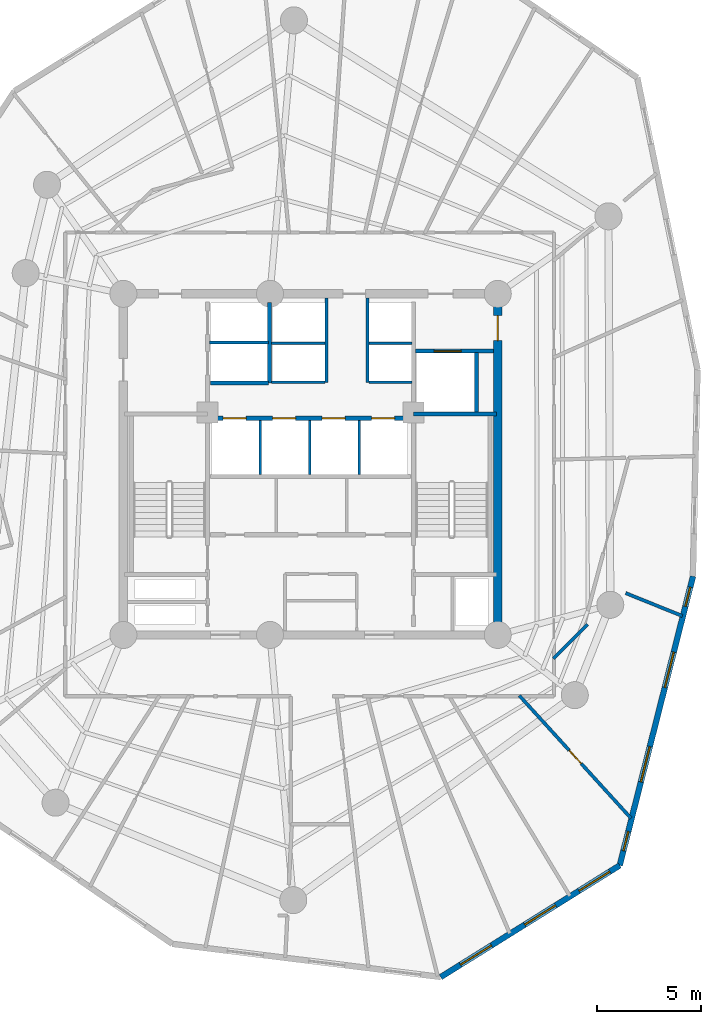
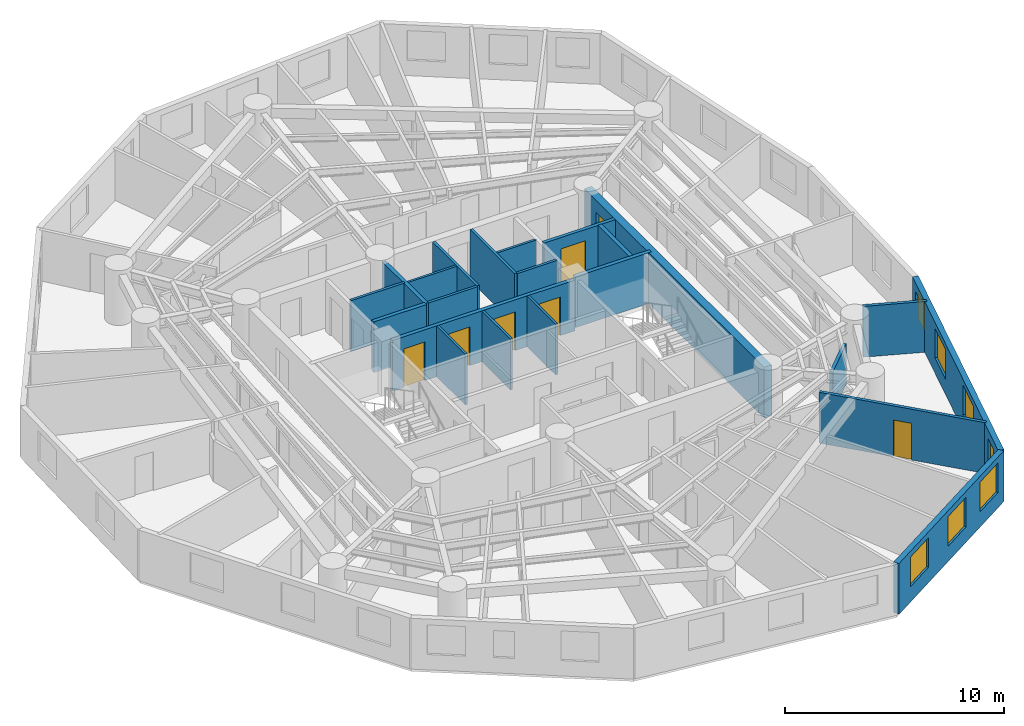
# One storey, part 5 of 8: 22 walls, 7 doors, 7 windows, 14 openings.
"""IFC4 building model written with IfcOpenShell, lengths in metres."""

from ifc_helpers import new_model, si_unit, direction, frame, frame_2d, origin, origin_with_axes, place, context, subcontext, project, spatial, rectangle, extrude, source, transform, mapped, material, layer, layer_set, type_object, element, fill, save


model = new_model("IFC4")

# Units and contexts
model_context = context("Model", 3, precision=1e-05, world=origin(), true_north=direction((0.0, 1.0)))
body_context = subcontext(model_context, "Body", "Model", "MODEL_VIEW")
ifc_project = project(units=[si_unit("LENGTHUNIT", "METRE"), si_unit("AREAUNIT", "SQUARE_METRE"), si_unit("VOLUMEUNIT", "CUBIC_METRE"), si_unit("PLANEANGLEUNIT", "RADIAN"), si_unit("MASSUNIT", "GRAM", prefix="KILO")], contexts=[model_context])

# Site, building, storey
site_placement = place(None, origin())
site = spatial("IfcSite", under=ifc_project, at=site_placement, CompositionType="ELEMENT")
building_placement = place(site_placement, origin())
building = spatial("IfcBuilding", under=site, at=building_placement, Name="Karkom Vertical University and Central Library", CompositionType="ELEMENT")
storey_placement = place(building_placement, frame((0.0, 0.0, 184.0)))
storey = spatial("IfcBuildingStorey", under=building, at=storey_placement, Name="L53", CompositionType="ELEMENT", Elevation=184.0)

# Wall, openings, windows
ifc_material_1 = material(Name="Brick-faced precast concrete C45/55", Category="masonry")
ifc_layer_1 = layer(ifc_material_1, 0.280029296875)
ifc_layer_set_1 = layer_set([ifc_layer_1], Name="Brick-faced precast concrete C45/55")
wall_type_1 = type_object("IfcWallType", Name="ENV-WL-BRK-280", PredefinedType="SOLIDWALL", material=ifc_layer_set_1)
wall_1_placement = place(storey_placement, frame((34.757568359375, 1.85009765625, 0.0), z_axis=(0.0, 0.0, 1.0), x_axis=(0.848433325242, 0.529302269614, 0.0)))
wall_1 = element("IfcWall", 1, at=wall_1_placement, inside=storey, type_object=wall_type_1, Name="Level 53 Brick-Faced Precast Facade Wall 05", PredefinedType="SOLIDWALL", context=body_context, shape_type="SweptSolid", body=[
    extrude(rectangle(XDim=10.145751953125, YDim=0.280029296875, at=frame_2d((5.07275390625, 0.0))), origin(), (0.0, 0.0, 1.0), 2.824951171875),
])
opening_1_placement = place(wall_1_placement, frame((1.12158203125, 0.0, 0.85009765625)))
opening_1 = element("IfcOpeningElement", 2, at=opening_1_placement, cuts=wall_1, Name="Opening WN-08", PredefinedType="OPENING", context=body_context, shape_type="SweptSolid", body=[
    extrude(rectangle(XDim=1.75, YDim=1.64990234375, at=frame_2d((0.875, 0.824951171875))), frame((0.0, 0.14990234375, 0.0), z_axis=(0.0, -1.0, 0.0), x_axis=(1.0, 0.0, 0.0)), (0.0, 0.0, 1.0), 0.300048828125),
])
opening_2_placement = place(wall_1_placement, frame((4.759521484375, 0.0, 0.85009765625)))
opening_2 = element("IfcOpeningElement", 3, at=opening_2_placement, cuts=wall_1, Name="Opening WN-08", PredefinedType="OPENING", context=body_context, shape_type="SweptSolid", body=[
    extrude(rectangle(XDim=1.75, YDim=1.64990234375, at=frame_2d((0.875, 0.824951171875))), frame((0.0, 0.14990234375, 0.0), z_axis=(0.0, -1.0, 0.0), x_axis=(1.0, 0.0, 0.0)), (0.0, 0.0, 1.0), 0.300048828125),
])
opening_3_placement = place(wall_1_placement, frame((7.835693359375, 0.0, 0.85009765625)))
opening_3 = element("IfcOpeningElement", 4, at=opening_3_placement, cuts=wall_1, Name="Opening WN-08", PredefinedType="OPENING", context=body_context, shape_type="SweptSolid", body=[
    extrude(rectangle(XDim=1.75, YDim=1.64990234375, at=frame_2d((0.875, 0.824951171875))), frame((0.0, 0.14990234375, 0.0), z_axis=(0.0, -1.0, 0.0), x_axis=(1.0, 0.0, 0.0)), (0.0, 0.0, 1.0), 0.300048828125),
])
ifc_material_2 = material(Name="Aluminium thermal-break frame with solar-control IGU", Category="aluminium")
window_type_1 = type_object("IfcWindowType", Name="ENV-WIN-WN-08", PartitioningType="SINGLE_PANEL", PredefinedType="WINDOW", material=ifc_material_2)
shared_shape_1 = source(origin_with_axes(), body_context, "Body", "SweptSolid", [
    extrude(rectangle(XDim=1.75, YDim=1.64990234375, at=frame_2d((0.875, 0.824951171875))), frame((0.0, 0.030029296875, 0.0), z_axis=(0.0, -1.0, 0.0), x_axis=(1.0, 0.0, 0.0)), (0.0, 0.0, 1.0), 0.06005859375),
])
window_1_placement = place(opening_1_placement, origin())
window_1 = element("IfcWindow", 5, at=window_1_placement, inside=storey, type_object=window_type_1, Name="Level 53 Punched Window 5.1", OverallHeight=1.64990234375, OverallWidth=1.75, PartitioningType="SINGLE_PANEL", PredefinedType="WINDOW", context=body_context, shape_type="MappedRepresentation", body=[
    mapped(shared_shape_1, transform((0.0, 0.0, 0.0), scale=1.0)),
])
fill(opening_1, window_1)
window_2_placement = place(opening_2_placement, origin())
window_2 = element("IfcWindow", 6, at=window_2_placement, inside=storey, type_object=window_type_1, Name="Level 53 Punched Window 5.2", OverallHeight=1.64990234375, OverallWidth=1.75, PartitioningType="SINGLE_PANEL", PredefinedType="WINDOW", context=body_context, shape_type="MappedRepresentation", body=[
    mapped(shared_shape_1, transform((0.0, 0.0, 0.0), scale=1.0)),
])
fill(opening_2, window_2)
window_3_placement = place(opening_3_placement, origin())
window_3 = element("IfcWindow", 7, at=window_3_placement, inside=storey, type_object=window_type_1, Name="Level 53 Punched Window 5.3", OverallHeight=1.64990234375, OverallWidth=1.75, PartitioningType="SINGLE_PANEL", PredefinedType="WINDOW", context=body_context, shape_type="MappedRepresentation", body=[
    mapped(shared_shape_1, transform((0.0, 0.0, 0.0), scale=1.0)),
])
fill(opening_3, window_3)

wall_2_placement = place(storey_placement, frame((43.365478515625, 7.22021484375, 0.0), z_axis=(0.0, 0.0, 1.0), x_axis=(0.245638535217, 0.969361496046, 0.0)))
wall_2 = element("IfcWall", 8, at=wall_2_placement, inside=storey, type_object=wall_type_1, Name="Level 53 Brick-Faced Precast Facade Wall 06", PredefinedType="SOLIDWALL", context=body_context, shape_type="SweptSolid", body=[
    extrude(rectangle(XDim=14.342041015625, YDim=0.280029296875, at=frame_2d((7.1708984375, 0.0))), origin(), (0.0, 0.0, 1.0), 2.824951171875),
])
opening_4_placement = place(wall_2_placement, frame((0.730712890625, 0.0, 0.85009765625)))
opening_4 = element("IfcOpeningElement", 9, at=opening_4_placement, cuts=wall_2, Name="Opening WN-12", PredefinedType="OPENING", context=body_context, shape_type="SweptSolid", body=[
    extrude(rectangle(XDim=0.949951171875, YDim=1.5, at=frame_2d((0.47509765625, 0.75))), frame((0.0, 0.14990234375, 0.0), z_axis=(0.0, -1.0, 0.0), x_axis=(1.0, 0.0, 0.0)), (0.0, 0.0, 1.0), 0.300048828125),
])
opening_5_placement = place(wall_2_placement, frame((4.140625, 0.0, 0.85009765625)))
opening_5 = element("IfcOpeningElement", 10, at=opening_5_placement, cuts=wall_2, Name="Opening WN-08", PredefinedType="OPENING", context=body_context, shape_type="SweptSolid", body=[
    extrude(rectangle(XDim=1.75, YDim=1.64990234375, at=frame_2d((0.875, 0.824951171875))), frame((0.0, 0.14990234375, 0.0), z_axis=(0.0, -1.0, 0.0), x_axis=(1.0, 0.0, 0.0)), (0.0, 0.0, 1.0), 0.300048828125),
])
opening_6_placement = place(wall_2_placement, frame((8.8291015625, 0.0, 0.85009765625)))
opening_6 = element("IfcOpeningElement", 11, at=opening_6_placement, cuts=wall_2, Name="Opening WN-08", PredefinedType="OPENING", context=body_context, shape_type="SweptSolid", body=[
    extrude(rectangle(XDim=1.75, YDim=1.64990234375, at=frame_2d((0.875, 0.824951171875))), frame((0.0, 0.14990234375, 0.0), z_axis=(0.0, -1.0, 0.0), x_axis=(1.0, 0.0, 0.0)), (0.0, 0.0, 1.0), 0.300048828125),
])
opening_7_placement = place(wall_2_placement, frame((12.85009765625, 0.0, 0.85009765625)))
opening_7 = element("IfcOpeningElement", 12, at=opening_7_placement, cuts=wall_2, Name="Opening WN-12", PredefinedType="OPENING", context=body_context, shape_type="SweptSolid", body=[
    extrude(rectangle(XDim=0.949951171875, YDim=1.5, at=frame_2d((0.47509765625, 0.75))), frame((0.0, 0.14990234375, 0.0), z_axis=(0.0, -1.0, 0.0), x_axis=(1.0, 0.0, 0.0)), (0.0, 0.0, 1.0), 0.300048828125),
])
window_type_2 = type_object("IfcWindowType", Name="ENV-WIN-WN-12", PartitioningType="SINGLE_PANEL", PredefinedType="WINDOW", material=ifc_material_2)
shared_shape_2 = source(origin_with_axes(), body_context, "Body", "SweptSolid", [
    extrude(rectangle(XDim=0.949951171875, YDim=1.5, at=frame_2d((0.47509765625, 0.75))), frame((0.0, 0.030029296875, 0.0), z_axis=(0.0, -1.0, 0.0), x_axis=(1.0, 0.0, 0.0)), (0.0, 0.0, 1.0), 0.06005859375),
])
window_4_placement = place(opening_4_placement, origin())
window_4 = element("IfcWindow", 13, at=window_4_placement, inside=storey, type_object=window_type_2, Name="Level 53 Punched Window 6.1", OverallHeight=1.5, OverallWidth=0.949951171875, PartitioningType="SINGLE_PANEL", PredefinedType="WINDOW", context=body_context, shape_type="MappedRepresentation", body=[
    mapped(shared_shape_2, transform((0.0, 0.0, 0.0), scale=1.0)),
])
fill(opening_4, window_4)
window_5_placement = place(opening_7_placement, origin())
window_5 = element("IfcWindow", 14, at=window_5_placement, inside=storey, type_object=window_type_2, Name="Level 53 Punched Window 6.4", OverallHeight=1.5, OverallWidth=0.949951171875, PartitioningType="SINGLE_PANEL", PredefinedType="WINDOW", context=body_context, shape_type="MappedRepresentation", body=[
    mapped(shared_shape_2, transform((0.0, 0.0, 0.0), scale=1.0)),
])
fill(opening_7, window_5)
window_6_placement = place(opening_5_placement, origin())
window_6 = element("IfcWindow", 15, at=window_6_placement, inside=storey, type_object=window_type_1, Name="Level 53 Punched Window 6.2", OverallHeight=1.64990234375, OverallWidth=1.75, PartitioningType="SINGLE_PANEL", PredefinedType="WINDOW", context=body_context, shape_type="MappedRepresentation", body=[
    mapped(shared_shape_1, transform((0.0, 0.0, 0.0), scale=1.0)),
])
fill(opening_5, window_6)
window_7_placement = place(opening_6_placement, origin())
window_7 = element("IfcWindow", 16, at=window_7_placement, inside=storey, type_object=window_type_1, Name="Level 53 Punched Window 6.3", OverallHeight=1.64990234375, OverallWidth=1.75, PartitioningType="SINGLE_PANEL", PredefinedType="WINDOW", context=body_context, shape_type="MappedRepresentation", body=[
    mapped(shared_shape_1, transform((0.0, 0.0, 0.0), scale=1.0)),
])
fill(opening_6, window_7)

# Wall, opening, door
ifc_material_3 = material(Name="Insulated metal-stud drywall 160mm", Category="gypsum")
ifc_layer_2 = layer(ifc_material_3, 0.159912109375)
ifc_layer_set_2 = layer_set([ifc_layer_2], Name="Insulated metal-stud drywall 160mm")
wall_type_2 = type_object("IfcWallType", Name="INT-WL-COR-160", PredefinedType="PARTITIONING", material=ifc_layer_set_2)
wall_3_placement = place(storey_placement, frame((38.53857421875, 15.38330078125, 0.0), z_axis=(0.0, 0.0, 1.0), x_axis=(0.673152933758, -0.739503298014, 0.0)))
wall_3 = element("IfcWall", 17, at=wall_3_placement, inside=storey, type_object=wall_type_2, Name="Level 53 Interior Partition Wall L53-PW-019", PredefinedType="PARTITIONING", context=body_context, shape_type="SweptSolid", body=[
    extrude(rectangle(XDim=7.969970703125, YDim=0.159912109375, at=frame_2d((3.98486328125, 0.0))), origin(), (0.0, 0.0, 1.0), 2.824951171875),
])
opening_8_placement = place(wall_3_placement, frame((3.554931640625, 0.0, 0.0)))
opening_8 = element("IfcOpeningElement", 18, at=opening_8_placement, cuts=wall_3, Name="Opening FD-BTH2", PredefinedType="OPENING", context=body_context, shape_type="SweptSolid", body=[
    extrude(rectangle(XDim=0.860107421875, YDim=2.0400390625, at=frame_2d((0.43017578125, 1.02001953125))), frame((0.0, 0.08984375, 0.0), z_axis=(0.0, -1.0, 0.0), x_axis=(1.0, 0.0, 0.0)), (0.0, 0.0, 1.0), 0.179931640625),
])
ifc_material_4 = material(Name="Fire-rated moisture-resistant oak door", Category="wood")
door_type_1 = type_object("IfcDoorType", Name="INT-DR-FBTH2", OperationType="NOTDEFINED", PredefinedType="DOOR", material=ifc_material_4)
shared_shape_3 = source(origin_with_axes(), body_context, "Body", "SweptSolid", [
    extrude(rectangle(XDim=0.860107421875, YDim=2.0400390625, at=frame_2d((0.43017578125, 1.02001953125))), frame((0.0, 0.02490234375, 0.0), z_axis=(0.0, -1.0, 0.0), x_axis=(1.0, 0.0, 0.0)), (0.0, 0.0, 1.0), 0.050048828125),
])
door_1_placement = place(opening_8_placement, origin())
door_1 = element("IfcDoor", 19, at=door_1_placement, inside=storey, type_object=door_type_1, Name="Level 53 Faculty Support and Campus Staff Room Entry Door", OperationType="SINGLE_SWING_LEFT", OverallHeight=2.0400390625, OverallWidth=0.860107421875, PredefinedType="DOOR", context=body_context, shape_type="MappedRepresentation", body=[
    mapped(shared_shape_3, transform((0.0, 0.0, 0.0), scale=1.0)),
])
fill(opening_8, door_1)

# Walls
wall_4_placement = place(storey_placement, frame((43.64892578125, 20.3134765625, 0.0), z_axis=(0.0, 0.0, 1.0), x_axis=(0.927178124429, -0.374620775693, 0.0)))
element("IfcWall", 20, at=wall_4_placement, inside=storey, type_object=wall_type_2, Name="Level 53 Interior Partition Wall L53-PW-023", PredefinedType="PARTITIONING", context=body_context, shape_type="SweptSolid", body=[
    extrude(rectangle(XDim=2.943115234375, YDim=0.159912109375, at=frame_2d((1.4716796875, 0.0))), origin(), (0.0, 0.0, 1.0), 2.824951171875),
])
wall_5_placement = place(storey_placement, frame((40.1787109375, 17.16552734375, 0.0), z_axis=(0.0, 0.0, 1.0), x_axis=(0.707159309269, 0.707054249202, 0.0)))
element("IfcWall", 21, at=wall_5_placement, inside=storey, type_object=wall_type_2, Name="Level 53 Interior Partition Wall L53-PW-020", PredefinedType="PARTITIONING", context=body_context, shape_type="SweptSolid", body=[
    extrude(rectangle(XDim=2.32373046875, YDim=0.159912109375, at=frame_2d((1.161865234375, 0.0))), origin(), (0.0, 0.0, 1.0), 2.27490234375),
])
ifc_material_5 = material(Name="Moisture-resistant drywall 120mm", Category="gypsum")
ifc_layer_3 = layer(ifc_material_5, 0.1201171875)
ifc_layer_set_3 = layer_set([ifc_layer_3], Name="Moisture-resistant drywall 120mm")
wall_type_3 = type_object("IfcWallType", Name="INT-WL-INT-120H", PredefinedType="PARTITIONING", material=ifc_layer_set_3)
for number, where, z_axis, x_axis, name in (
    (22, (26.080078125, 26.02001953125, 0.0), (0.0, 0.0, 1.0), (0.0, 1.0, 0.0), "Level 53 Interior Partition Wall L53-CW-PM-DIV1"),
    (23, (28.4599609375, 26.02001953125, 0.0), (0.0, 0.0, 1.0), (0.0, 1.0, 0.0), "Level 53 Interior Partition Wall L53-CW-PM-DIV2"),
    (24, (30.840087890625, 26.02001953125, 0.0), (0.0, 0.0, 1.0), (0.0, 1.0, 0.0), "Level 53 Interior Partition Wall L53-CW-PM-DIV3"),
):
    element("IfcWall", number, at=place(storey_placement, frame(where, z_axis=z_axis, x_axis=x_axis)), inside=storey, type_object=wall_type_3, Name=name, PredefinedType="PARTITIONING", context=body_context, shape_type="SweptSolid", body=[
        extrude(rectangle(XDim=2.60009765625, YDim=0.1201171875, at=frame_2d((1.300048828125, 0.0))), origin(), (0.0, 0.0, 1.0), 2.824951171875),
    ])
wall_6_placement = place(storey_placement, frame((26.6201171875, 32.320068359375, 0.0), z_axis=(0.0, 0.0, 1.0), x_axis=(1.0, 0.0, 0.0)))
element("IfcWall", 25, at=wall_6_placement, inside=storey, type_object=wall_type_3, Name="Level 53 Interior Partition Wall L53-CW-PH-MW", PredefinedType="PARTITIONING", context=body_context, shape_type="SweptSolid", body=[
    extrude(rectangle(XDim=2.579833984375, YDim=0.1201171875, at=frame_2d((1.2900390625, 0.0))), origin(), (0.0, 0.0, 1.0), 2.824951171875),
])
wall_7_placement = place(storey_placement, frame((31.300048828125, 32.320068359375, 0.0), z_axis=(0.0, 0.0, 1.0), x_axis=(1.0, 0.0, 0.0)))
element("IfcWall", 26, at=wall_7_placement, inside=storey, type_object=wall_type_3, Name="Level 53 Interior Partition Wall L53-CW-PH-ME", PredefinedType="PARTITIONING", context=body_context, shape_type="SweptSolid", body=[
    extrude(rectangle(XDim=2.074951171875, YDim=0.1201171875, at=frame_2d((1.03759765625, 0.0))), origin(), (0.0, 0.0, 1.0), 2.824951171875),
])
ifc_material_6 = material(Name="Metal-stud gypsum partition 140mm", Category="gypsum")
ifc_layer_4 = layer(ifc_material_6, 0.139892578125)
ifc_layer_set_4 = layer_set([ifc_layer_4], Name="Metal-stud gypsum partition 140mm")
wall_type_4 = type_object("IfcWallType", Name="INT-WL-SUB-140H", PredefinedType="PARTITIONING", material=ifc_layer_set_4)
for number, where, z_axis, x_axis, name in (
    (27, (29.260009765625, 30.449951171875, 0.0), (0.0, 0.0, 1.0), (0.0, 1.0, 0.0), "Level 53 Interior Partition Wall L53-CW-PH-W"),
    (28, (31.239990234375, 30.449951171875, 0.0), (0.0, 0.0, 1.0), (0.0, 1.0, 0.0), "Level 53 Interior Partition Wall L53-CW-PH-E"),
):
    element("IfcWall", number, at=place(storey_placement, frame(where, z_axis=z_axis, x_axis=x_axis)), inside=storey, type_object=wall_type_4, Name=name, PredefinedType="PARTITIONING", context=body_context, shape_type="SweptSolid", body=[
        extrude(rectangle(XDim=4.04296875, YDim=0.139892578125, at=frame_2d((2.021484375, 0.0))), origin(), (0.0, 0.0, 1.0), 2.824951171875),
    ])
wall_8_placement = place(storey_placement, frame((26.6201171875, 30.449951171875, 0.0), z_axis=(0.0, 0.0, 1.0), x_axis=(1.0, 0.0, 0.0)))
element("IfcWall", 29, at=wall_8_placement, inside=storey, type_object=wall_type_4, Name="Level 53 Interior Partition Wall L53-CW-PH-S1", PredefinedType="PARTITIONING", context=body_context, shape_type="SweptSolid", body=[
    extrude(rectangle(XDim=2.579833984375, YDim=0.139892578125, at=frame_2d((1.2900390625, 0.0))), origin(), (0.0, 0.0, 1.0), 2.824951171875),
])
wall_9_placement = place(storey_placement, frame((31.300048828125, 30.449951171875, 0.0), z_axis=(0.0, 0.0, 1.0), x_axis=(1.0, 0.0, 0.0)))
element("IfcWall", 30, at=wall_9_placement, inside=storey, type_object=wall_type_4, Name="Level 53 Interior Partition Wall L53-CW-PH-S2", PredefinedType="PARTITIONING", context=body_context, shape_type="SweptSolid", body=[
    extrude(rectangle(XDim=2.074951171875, YDim=0.139892578125, at=frame_2d((1.03759765625, 0.0))), origin(), (0.0, 0.0, 1.0), 2.824951171875),
])
ifc_layer_5 = layer(ifc_material_6, 0.139892578125)
ifc_layer_set_5 = layer_set([ifc_layer_5], Name="Metal-stud gypsum partition 140mm")
wall_type_5 = type_object("IfcWallType", Name="INT-WL-SUB-140X", PredefinedType="PARTITIONING", material=ifc_layer_set_5)
wall_10_placement = place(storey_placement, frame((23.652099609375, 32.3701171875, 0.0), z_axis=(0.0, 0.0, 1.0), x_axis=(1.0, 0.0, 0.0)))
element("IfcWall", 31, at=wall_10_placement, inside=storey, type_object=wall_type_5, Name="Level 53 Interior Partition Wall L53-CW-FFL-M", PredefinedType="PARTITIONING", context=body_context, shape_type="SweptSolid", body=[
    extrude(rectangle(XDim=2.827880859375, YDim=0.139892578125, at=frame_2d((1.4140625, 0.0))), origin(), (0.0, 0.0, 1.0), 2.824951171875),
])

# Wall, opening, door
ifc_material_7 = material(Name="Twin-stud acoustic drywall 180mm", Category="gypsum")
ifc_layer_6 = layer(ifc_material_7, 0.179931640625)
ifc_layer_set_6 = layer_set([ifc_layer_6], Name="Twin-stud acoustic drywall 180mm")
wall_type_6 = type_object("IfcWallType", Name="INT-WL-TEN-180F", PredefinedType="PARTITIONING", material=ifc_layer_set_6)
wall_11_placement = place(storey_placement, frame((33.534912109375, 31.949951171875, 0.0), z_axis=(0.0, 0.0, 1.0), x_axis=(1.0, 0.0, 0.0)))
wall_11 = element("IfcWall", 32, at=wall_11_placement, inside=storey, type_object=wall_type_6, Name="Level 53 Interior Partition Wall L53-CW-SVL-N", PredefinedType="PARTITIONING", context=body_context, shape_type="SweptSolid", body=[
    extrude(rectangle(XDim=3.7587890625, YDim=0.179931640625, at=frame_2d((1.87939453125, 0.0))), origin(), (0.0, 0.0, 1.0), 2.824951171875),
])
opening_9_placement = place(wall_11_placement, frame((0.89990234375, 0.0, 0.0)))
opening_9 = element("IfcOpeningElement", 33, at=opening_9_placement, cuts=wall_11, Name="Opening LD-SV1", PredefinedType="OPENING", context=body_context, shape_type="SweptSolid", body=[
    extrude(rectangle(XDim=1.300048828125, YDim=2.199951171875, at=frame_2d((0.64990234375, 1.10009765625))), frame((0.0, 0.10009765625, 0.0), z_axis=(0.0, -1.0, 0.0), x_axis=(1.0, 0.0, 0.0)), (0.0, 0.0, 1.0), 0.199951171875),
])
ifc_material_8 = material(Name="Brushed stainless-steel landing door", Category="steel")
door_type_2 = type_object("IfcDoorType", Name="INT-DR-LD-SV1", OperationType="SLIDING_TO_LEFT", PredefinedType="DOOR", material=ifc_material_8)
shared_shape_4 = source(origin_with_axes(), body_context, "Body", "SweptSolid", [
    extrude(rectangle(XDim=1.300048828125, YDim=2.199951171875, at=frame_2d((0.64990234375, 1.10009765625))), frame((0.0, 0.02490234375, 0.0), z_axis=(0.0, -1.0, 0.0), x_axis=(1.0, 0.0, 0.0)), (0.0, 0.0, 1.0), 0.050048828125),
])
door_2_placement = place(opening_9_placement, origin())
door_2 = element("IfcDoor", 34, at=door_2_placement, inside=storey, type_object=door_type_2, Name="Level 53 Service Lift Landing Door LD-SV1", OperationType="SLIDING_TO_LEFT", OverallHeight=2.199951171875, OverallWidth=1.300048828125, PredefinedType="DOOR", context=body_context, shape_type="MappedRepresentation", body=[
    mapped(shared_shape_4, transform((0.0, 0.0, 0.0), scale=1.0)),
])
fill(opening_9, door_2)

ifc_material_9 = material(Name="Concrete C50/60", Category="concrete")
ifc_layer_7 = layer(ifc_material_9, 0.39990234375)
ifc_layer_set_7 = layer_set([ifc_layer_7], Name="Concrete C50/60")
wall_type_7 = type_object("IfcWallType", Name="STR-WL-CW-400", PredefinedType="SHEAR", material=ifc_layer_set_7)
wall_12_placement = place(storey_placement, frame((37.5, 18.300048828125, 0.0), z_axis=(0.0, 0.0, 1.0), x_axis=(0.0, 1.0, 0.0)))
wall_12 = element("IfcWall", 35, at=wall_12_placement, inside=storey, type_object=wall_type_7, Name="Level 53 Central Core Shear Wall EW", PredefinedType="SHEAR", context=body_context, shape_type="SweptSolid", body=[
    extrude(rectangle(XDim=16.39990234375, YDim=0.39990234375, at=frame_2d((8.199951171875, 0.0))), origin(), (0.0, 0.0, 1.0), 2.824951171875),
])
opening_10_placement = place(wall_12_placement, frame((14.14990234375, 0.0, 0.0)))
opening_10 = element("IfcOpeningElement", 36, at=opening_10_placement, cuts=wall_12, Name="Opening FD-SUB1", PredefinedType="OPENING", context=body_context, shape_type="SweptSolid", body=[
    extrude(rectangle(XDim=1.199951171875, YDim=2.14990234375, at=frame_2d((0.60009765625, 1.074951171875))), frame((0.0, 0.2099609375, 0.0), z_axis=(0.0, -1.0, 0.0), x_axis=(1.0, 0.0, 0.0)), (0.0, 0.0, 1.0), 0.419921875),
])
ifc_material_10 = material(Name="Painted steel fire door", Category="steel")
door_type_3 = type_object("IfcDoorType", Name="INT-DR-SUB1", OperationType="NOTDEFINED", PredefinedType="DOOR", material=ifc_material_10)
shared_shape_5 = source(origin_with_axes(), body_context, "Body", "SweptSolid", [
    extrude(rectangle(XDim=1.199951171875, YDim=2.14990234375, at=frame_2d((0.60009765625, 1.074951171875))), frame((0.0, 0.02490234375, 0.0), z_axis=(0.0, -1.0, 0.0), x_axis=(1.0, 0.0, 0.0)), (0.0, 0.0, 1.0), 0.050048828125),
])
door_3_placement = place(opening_10_placement, origin())
door_3 = element("IfcDoor", 37, at=door_3_placement, inside=storey, type_object=door_type_3, Name="Level 53 East Corridor Service Lobby Door", OperationType="SINGLE_SWING_LEFT", OverallHeight=2.14990234375, OverallWidth=1.199951171875, PredefinedType="DOOR", context=body_context, shape_type="MappedRepresentation", body=[
    mapped(shared_shape_5, transform((0.0, 0.0, 0.0), scale=1.0)),
])
fill(opening_10, door_3)

# Wall, openings, doors
ifc_material_11 = material(Name="Concrete C45/55", Category="concrete")
ifc_layer_8 = layer(ifc_material_11, 0.199951171875)
ifc_layer_set_8 = layer_set([ifc_layer_8], Name="Concrete C45/55")
wall_type_8 = type_object("IfcWallType", Name="STR-WL-ST-200", PredefinedType="SHEAR", material=ifc_layer_set_8)
wall_13_placement = place(storey_placement, frame((23.699951171875, 28.719970703125, 0.0), z_axis=(0.0, 0.0, 1.0), x_axis=(1.0, 0.0, 0.0)))
wall_13 = element("IfcWall", 38, at=wall_13_placement, inside=storey, type_object=wall_type_8, Name="Level 53 Core Shaft Wall L53-CW-B2-N", PredefinedType="SHEAR", context=body_context, shape_type="SweptSolid", body=[
    extrude(rectangle(XDim=9.60009765625, YDim=0.199951171875, at=frame_2d((4.800048828125, 0.0))), origin(), (0.0, 0.0, 1.0), 2.824951171875),
])
opening_11_placement = place(wall_13_placement, frame((0.60009765625, 0.0, 0.0)))
opening_11 = element("IfcOpeningElement", 39, at=opening_11_placement, cuts=wall_13, Name="Opening LD-PAX", PredefinedType="OPENING", context=body_context, shape_type="SweptSolid", body=[
    extrude(rectangle(XDim=1.10009765625, YDim=2.14990234375, at=frame_2d((0.550048828125, 1.074951171875))), frame((0.0, 0.10986328125, 0.0), z_axis=(0.0, -1.0, 0.0), x_axis=(1.0, 0.0, 0.0)), (0.0, 0.0, 1.0), 0.219970703125),
])
opening_12_placement = place(wall_13_placement, frame((2.97998046875, 0.0, 0.0)))
opening_12 = element("IfcOpeningElement", 40, at=opening_12_placement, cuts=wall_13, Name="Opening LD-PAX", PredefinedType="OPENING", context=body_context, shape_type="SweptSolid", body=[
    extrude(rectangle(XDim=1.10009765625, YDim=2.14990234375, at=frame_2d((0.550048828125, 1.074951171875))), frame((0.0, 0.10986328125, 0.0), z_axis=(0.0, -1.0, 0.0), x_axis=(1.0, 0.0, 0.0)), (0.0, 0.0, 1.0), 0.219970703125),
])
opening_13_placement = place(wall_13_placement, frame((5.360107421875, 0.0, 0.0)))
opening_13 = element("IfcOpeningElement", 41, at=opening_13_placement, cuts=wall_13, Name="Opening LD-PAX", PredefinedType="OPENING", context=body_context, shape_type="SweptSolid", body=[
    extrude(rectangle(XDim=1.10009765625, YDim=2.14990234375, at=frame_2d((0.550048828125, 1.074951171875))), frame((0.0, 0.10986328125, 0.0), z_axis=(0.0, -1.0, 0.0), x_axis=(1.0, 0.0, 0.0)), (0.0, 0.0, 1.0), 0.219970703125),
])
opening_14_placement = place(wall_13_placement, frame((7.739990234375, 0.0, 0.0)))
opening_14 = element("IfcOpeningElement", 42, at=opening_14_placement, cuts=wall_13, Name="Opening LD-PAX", PredefinedType="OPENING", context=body_context, shape_type="SweptSolid", body=[
    extrude(rectangle(XDim=1.10009765625, YDim=2.14990234375, at=frame_2d((0.550048828125, 1.074951171875))), frame((0.0, 0.10986328125, 0.0), z_axis=(0.0, -1.0, 0.0), x_axis=(1.0, 0.0, 0.0)), (0.0, 0.0, 1.0), 0.219970703125),
])
door_type_4 = type_object("IfcDoorType", Name="INT-DR-LD-PAX", OperationType="SLIDING_TO_LEFT", PredefinedType="DOOR", material=ifc_material_8)
shared_shape_6 = source(origin_with_axes(), body_context, "Body", "SweptSolid", [
    extrude(rectangle(XDim=1.10009765625, YDim=2.14990234375, at=frame_2d((0.550048828125, 1.074951171875))), frame((0.0, 0.02490234375, 0.0), z_axis=(0.0, -1.0, 0.0), x_axis=(1.0, 0.0, 0.0)), (0.0, 0.0, 1.0), 0.050048828125),
])
door_4_placement = place(opening_11_placement, origin())
door_4 = element("IfcDoor", 43, at=door_4_placement, inside=storey, type_object=door_type_4, Name="Level 53 Lift PM-1 Landing Door", OperationType="SLIDING_TO_LEFT", OverallHeight=2.14990234375, OverallWidth=1.10009765625, PredefinedType="DOOR", context=body_context, shape_type="MappedRepresentation", body=[
    mapped(shared_shape_6, transform((0.0, 0.0, 0.0), scale=1.0)),
])
fill(opening_11, door_4)
door_5_placement = place(opening_12_placement, origin())
door_5 = element("IfcDoor", 44, at=door_5_placement, inside=storey, type_object=door_type_4, Name="Level 53 Lift PM-2 Landing Door", OperationType="SLIDING_TO_RIGHT", OverallHeight=2.14990234375, OverallWidth=1.10009765625, PredefinedType="DOOR", context=body_context, shape_type="MappedRepresentation", body=[
    mapped(shared_shape_6, transform((0.0, 0.0, 0.0), scale=1.0)),
])
fill(opening_12, door_5)
door_6_placement = place(opening_13_placement, origin())
door_6 = element("IfcDoor", 45, at=door_6_placement, inside=storey, type_object=door_type_4, Name="Level 53 Lift PM-3 Landing Door", OperationType="SLIDING_TO_LEFT", OverallHeight=2.14990234375, OverallWidth=1.10009765625, PredefinedType="DOOR", context=body_context, shape_type="MappedRepresentation", body=[
    mapped(shared_shape_6, transform((0.0, 0.0, 0.0), scale=1.0)),
])
fill(opening_13, door_6)
door_7_placement = place(opening_14_placement, origin())
door_7 = element("IfcDoor", 46, at=door_7_placement, inside=storey, type_object=door_type_4, Name="Level 53 Lift PM-4 Landing Door", OperationType="SLIDING_TO_RIGHT", OverallHeight=2.14990234375, OverallWidth=1.10009765625, PredefinedType="DOOR", context=body_context, shape_type="MappedRepresentation", body=[
    mapped(shared_shape_6, transform((0.0, 0.0, 0.0), scale=1.0)),
])
fill(opening_14, door_7)

# Walls
wall_14_placement = place(storey_placement, frame((33.455078125, 28.925048828125, 0.0), z_axis=(0.0, 0.0, 1.0), x_axis=(1.0, 0.0, 0.0)))
element("IfcWall", 47, at=wall_14_placement, inside=storey, type_object=wall_type_8, Name="Level 53 Core Shaft Wall L53-CW-ST2-N", PredefinedType="SHEAR", context=body_context, shape_type="SweptSolid", body=[
    extrude(rectangle(XDim=3.994873046875, YDim=0.199951171875, at=frame_2d((1.99755859375, 0.0))), origin(), (0.0, 0.0, 1.0), 2.824951171875),
])
wall_15_placement = place(storey_placement, frame((26.52001953125, 30.419921875, 0.0), z_axis=(0.0, 0.0, 1.0), x_axis=(0.0, 1.0, 0.0)))
element("IfcWall", 48, at=wall_15_placement, inside=storey, type_object=wall_type_8, Name="Level 53 Core Shaft Wall L53-CW-FFL-E", PredefinedType="SHEAR", context=body_context, shape_type="SweptSolid", body=[
    extrude(rectangle(XDim=3.860107421875, YDim=0.199951171875, at=frame_2d((1.93017578125, 0.0))), origin(), (0.0, 0.0, 1.0), 2.824951171875),
])
wall_16_placement = place(storey_placement, frame((36.47998046875, 29.02001953125, 0.0), z_axis=(0.0, 0.0, 1.0), x_axis=(0.0, 1.0, 0.0)))
element("IfcWall", 49, at=wall_16_placement, inside=storey, type_object=wall_type_8, Name="Level 53 Core Shaft Wall L53-CW-SVL-E", PredefinedType="SHEAR", context=body_context, shape_type="SweptSolid", body=[
    extrude(rectangle(XDim=2.85986328125, YDim=0.199951171875, at=frame_2d((1.429931640625, 0.0))), origin(), (0.0, 0.0, 1.0), 2.824951171875),
])
wall_17_placement = place(storey_placement, frame((23.699951171875, 30.419921875, 0.0), z_axis=(0.0, 0.0, 1.0), x_axis=(1.0, 0.0, 0.0)))
element("IfcWall", 50, at=wall_17_placement, inside=storey, type_object=wall_type_8, Name="Level 53 Core Shaft Wall L53-CW-FFL-S", PredefinedType="SHEAR", context=body_context, shape_type="SweptSolid", body=[
    extrude(rectangle(XDim=2.780029296875, YDim=0.199951171875, at=frame_2d((1.39013671875, 0.0))), origin(), (0.0, 0.0, 1.0), 2.824951171875),
])

save(model, "model.ifc")
